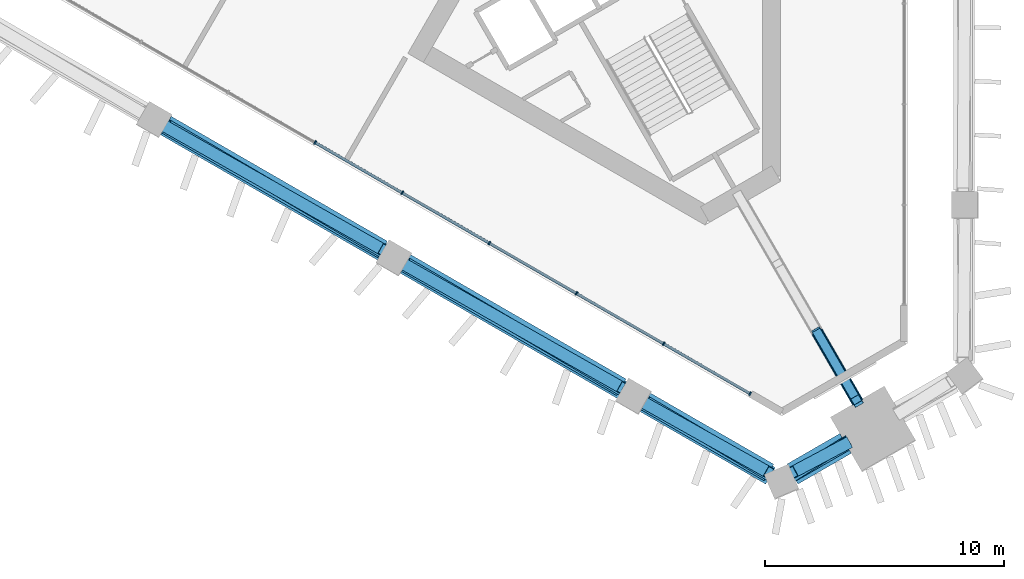
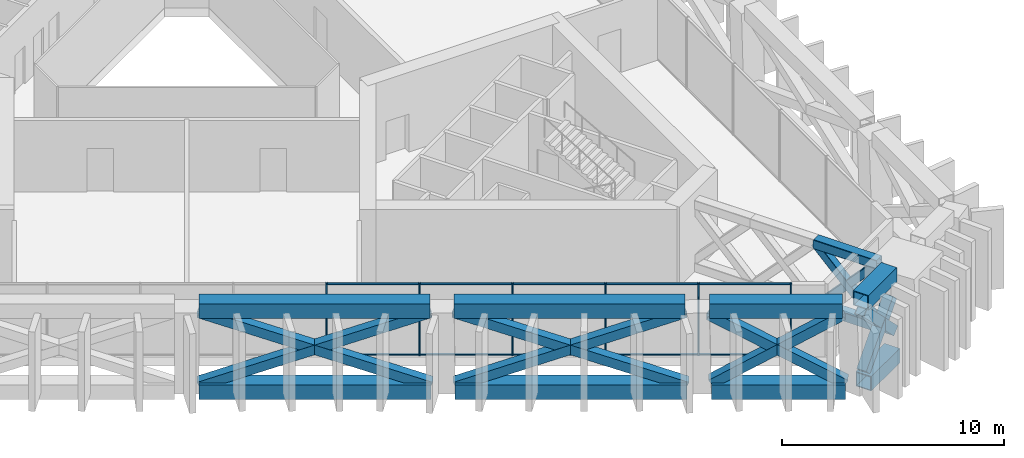
# One storey, part 3 of 17: 36 members, 1 element without a shape of its own.
"""IFC4 building model written with IfcOpenShell, lengths in metres."""

from ifc_helpers import new_model, si_unit, direction, frame, origin, origin_2d, place, context, subcontext, project, spatial, rectangle, hollow_rectangle, extrude, material, layer, layer_set, material_profile, profile_set, type_object, element, aggregate, save


model = new_model("IFC4")

# Units and contexts
model_context = context("Model", 3, precision=1e-05, world=origin(), true_north=direction((0.0, 1.0)))
body_context = subcontext(model_context, "Body", "Model", "MODEL_VIEW")
ifc_project = project(units=[si_unit("LENGTHUNIT", "METRE"), si_unit("AREAUNIT", "SQUARE_METRE"), si_unit("VOLUMEUNIT", "CUBIC_METRE"), si_unit("PLANEANGLEUNIT", "RADIAN"), si_unit("MASSUNIT", "GRAM", prefix="KILO")], contexts=[model_context])

# Site, building, storey
site_placement = place(None, origin())
site = spatial("IfcSite", under=ifc_project, at=site_placement, CompositionType="ELEMENT")
building_placement = place(site_placement, origin())
building = spatial("IfcBuilding", under=site, at=building_placement, Name="Jabali Bay Hotel Tower and Convention Centre", CompositionType="ELEMENT")
storey_placement = place(building_placement, frame((0.0, 0.0, 102.39990234375)))
storey = spatial("IfcBuildingStorey", under=building, at=storey_placement, Name="L24", CompositionType="ELEMENT", Elevation=102.39990234375)

# Members
ifc_material_1 = material(Name="Steel Q420GJC", Category="steel")
ifc_material_profile_1 = material_profile(ifc_material_1, hollow_rectangle(XDim=0.5, YDim=0.5, WallThickness=0.030029296875, at=origin_2d()), Name="Belt brace 500x500x30")
ifc_profile_set_1 = profile_set([ifc_material_profile_1], Name="Steel Q420GJC")
member_type_1 = type_object("IfcMemberType", Name="Belt brace 500x500x30", PredefinedType="BRACE", material=ifc_profile_set_1)
member_1_placement = place(storey_placement, frame((64.184326171875, 60.16650390625, 0.210205078125), z_axis=(0.812615311178, -0.460846771007, 0.35675847529), x_axis=(0.49330809366, 0.869854657244, 0.0)))
element("IfcMember", 1, at=member_1_placement, inside=storey, type_object=member_type_1, Name="Belt brace T2 F2.3-F2.4 x1", PredefinedType="BRACE", context=body_context, shape_type="SweptSolid", body=[
    extrude(hollow_rectangle(XDim=0.5, YDim=0.5, WallThickness=0.030029296875, at=origin_2d()), origin(), (0.0, 0.0, 1.0), 11.1552734375),
])
member_2_placement = place(storey_placement, frame((73.249755859375, 54.9326171875, 0.209228515625), z_axis=(-0.805835633176, 0.473543964919, 0.355506744792), x_axis=(-0.506640934774, -0.86215715691, 0.0)))
element("IfcMember", 2, at=member_2_placement, inside=storey, type_object=member_type_1, Name="Belt brace T2 F2.3-F2.4 x2", PredefinedType="BRACE", context=body_context, shape_type="SweptSolid", body=[
    extrude(hollow_rectangle(XDim=0.5, YDim=0.5, WallThickness=0.030029296875, at=origin_2d()), origin(), (0.0, 0.0, 1.0), 11.199951171875),
])
member_3_placement = place(storey_placement, frame((74.202392578125, 54.382568359375, 0.2109375), z_axis=(0.812203812766, -0.460572560313, 0.358047319798), x_axis=(0.493274994833, 0.869873427271, 0.0)))
element("IfcMember", 3, at=member_3_placement, inside=storey, type_object=member_type_1, Name="Belt brace T2 F2.4-F2.5 x1", PredefinedType="BRACE", context=body_context, shape_type="SweptSolid", body=[
    extrude(hollow_rectangle(XDim=0.5, YDim=0.5, WallThickness=0.030029296875, at=origin_2d()), origin(), (0.0, 0.0, 1.0), 11.111083984375),
])
member_4_placement = place(storey_placement, frame((83.267822265625, 49.148681640625, 0.20849609375), z_axis=(-0.806265923934, 0.473763194384, 0.354236778935), x_axis=(-0.506614205048, -0.862172863899, 0.0)))
element("IfcMember", 4, at=member_4_placement, inside=storey, type_object=member_type_1, Name="Belt brace T2 F2.4-F2.5 x2", PredefinedType="BRACE", context=body_context, shape_type="SweptSolid", body=[
    extrude(hollow_rectangle(XDim=0.5, YDim=0.5, WallThickness=0.030029296875, at=origin_2d()), origin(), (0.0, 0.0, 1.0), 11.244384765625),
])
member_5_placement = place(storey_placement, frame((84.221923828125, 48.60107421875, 0.3447265625), z_axis=(0.739102822637, -0.414362992183, 0.531065276853), x_axis=(0.489021452064, 0.87227175778, 0.0)))
element("IfcMember", 5, at=member_5_placement, inside=storey, type_object=member_type_1, Name="Belt brace T2 F2.5-V5 x1", PredefinedType="BRACE", context=body_context, shape_type="SweptSolid", body=[
    extrude(hollow_rectangle(XDim=0.5, YDim=0.5, WallThickness=0.030029296875, at=origin_2d()), origin(), (0.0, 0.0, 1.0), 6.9873046875),
])
member_6_placement = place(storey_placement, frame((89.459228515625, 45.576904296875, 0.334228515625), z_axis=(-0.734817529099, 0.436386019084, 0.519240253907), x_axis=(-0.51061497829, -0.859809481191, 0.0)))
element("IfcMember", 6, at=member_6_placement, inside=storey, type_object=member_type_1, Name="Belt brace T2 F2.5-V5 x2", PredefinedType="BRACE", context=body_context, shape_type="SweptSolid", body=[
    extrude(hollow_rectangle(XDim=0.5, YDim=0.5, WallThickness=0.030029296875, at=origin_2d()), origin(), (0.0, 0.0, 1.0), 7.186767578125),
])
member_7_placement = place(storey_placement, frame((90.3984375, 45.587646484375, 0.547119140625), z_axis=(0.601155993009, 0.37574772037, 0.70528371788), x_axis=(-0.530024526579, 0.847982311858, 0.0)))
element("IfcMember", 7, at=member_7_placement, inside=storey, type_object=member_type_1, Name="Belt brace T2 V5-M2 x1", PredefinedType="BRACE", context=body_context, shape_type="SweptSolid", body=[
    extrude(hollow_rectangle(XDim=0.5, YDim=0.5, WallThickness=0.030029296875, at=origin_2d()), origin(), (0.0, 0.0, 1.0), 3.62939453125),
])
member_8_placement = place(storey_placement, frame((92.6123046875, 46.896240234375, 1.297119140625), z_axis=(-0.625151543258, -0.33215395171, 0.706299724144), x_axis=(0.46920170998, -0.883091023254, 0.0)))
element("IfcMember", 8, at=member_8_placement, inside=storey, type_object=member_type_1, Name="Belt brace T2 V5-M2 x2", PredefinedType="BRACE", context=body_context, shape_type="SweptSolid", body=[
    extrude(hollow_rectangle(XDim=0.5, YDim=0.5, WallThickness=0.030029296875, at=origin_2d()), origin(), (0.0, 0.0, 1.0), 3.6162109375),
])
ifc_material_profile_2 = material_profile(ifc_material_1, hollow_rectangle(XDim=0.800048828125, YDim=0.800048828125, WallThickness=0.0400390625, at=origin_2d()), Name="Belt chord 800x800x40")
ifc_profile_set_2 = profile_set([ifc_material_profile_2], Name="Steel Q420GJC")
member_type_2 = type_object("IfcMemberType", Name="Belt chord 800x800x40", PredefinedType="CHORD", material=ifc_profile_set_2)
member_9_placement = place(storey_placement, frame((64.18212890625, 60.162841796875, 0.0), z_axis=(0.866027122606, -0.499997022903, 0.0), x_axis=(0.499997022903, 0.866027122606, 0.0)))
element("IfcMember", 9, at=member_9_placement, inside=storey, type_object=member_type_2, Name="Belt chord T2 F2.3-F2.4", PredefinedType="CHORD", context=body_context, shape_type="SweptSolid", body=[
    extrude(hollow_rectangle(XDim=0.800048828125, YDim=0.800048828125, WallThickness=0.0400390625, at=origin_2d()), origin(), (0.0, 0.0, 1.0), 10.4677734375),
])
member_10_placement = place(storey_placement, frame((74.2001953125, 54.37890625, 0.0), z_axis=(0.866032953093, -0.499986923987, 0.0), x_axis=(0.499986923987, 0.866032953093, 0.0)))
element("IfcMember", 10, at=member_10_placement, inside=storey, type_object=member_type_2, Name="Belt chord T2 F2.4-F2.5", PredefinedType="CHORD", context=body_context, shape_type="SweptSolid", body=[
    extrude(hollow_rectangle(XDim=0.800048828125, YDim=0.800048828125, WallThickness=0.0400390625, at=origin_2d()), origin(), (0.0, 0.0, 1.0), 10.468017578125),
])
member_11_placement = place(storey_placement, frame((84.218505859375, 48.594970703125, 0.0), z_axis=(0.866030962246, -0.499990372339, 0.0), x_axis=(0.499990372339, 0.866030962246, 0.0)))
element("IfcMember", 11, at=member_11_placement, inside=storey, type_object=member_type_2, Name="Belt chord T2 F2.5-V5", PredefinedType="CHORD", context=body_context, shape_type="SweptSolid", body=[
    extrude(hollow_rectangle(XDim=0.800048828125, YDim=0.800048828125, WallThickness=0.0400390625, at=origin_2d()), origin(), (0.0, 0.0, 1.0), 6.04736328125),
])
member_12_placement = place(storey_placement, frame((90.408447265625, 45.5712890625, 0.0), z_axis=(0.866013163002, 0.500021201058, 0.0), x_axis=(-0.500021201058, 0.866013163002, 0.0)))
element("IfcMember", 12, at=member_12_placement, inside=storey, type_object=member_type_2, Name="Belt chord T2 V5-M2", PredefinedType="CHORD", context=body_context, shape_type="SweptSolid", body=[
    extrude(hollow_rectangle(XDim=0.800048828125, YDim=0.800048828125, WallThickness=0.0400390625, at=origin_2d()), origin(), (0.0, 0.0, 1.0), 2.5703125),
])
member_13_placement = place(storey_placement, frame((64.2265625, 60.239990234375, 4.400146484375), z_axis=(0.866018607488, -0.500011771347, 0.0), x_axis=(0.500011771347, 0.866018607488, 0.0)))
element("IfcMember", 13, at=member_13_placement, inside=storey, type_object=member_type_2, Name="Belt chord T2 F2.3-F2.4", PredefinedType="CHORD", context=body_context, shape_type="SweptSolid", body=[
    extrude(hollow_rectangle(XDim=0.800048828125, YDim=0.800048828125, WallThickness=0.0400390625, at=origin_2d()), origin(), (0.0, 0.0, 1.0), 10.421142578125),
])
member_14_placement = place(storey_placement, frame((74.2041015625, 54.479248046875, 4.400146484375), z_axis=(0.866028751965, -0.499994200737, 0.0), x_axis=(0.499994200737, 0.866028751965, 0.0)))
element("IfcMember", 14, at=member_14_placement, inside=storey, type_object=member_type_2, Name="Belt chord T2 F2.4-F2.5", PredefinedType="CHORD", context=body_context, shape_type="SweptSolid", body=[
    extrude(hollow_rectangle(XDim=0.800048828125, YDim=0.800048828125, WallThickness=0.0400390625, at=origin_2d()), origin(), (0.0, 0.0, 1.0), 10.4208984375),
])
member_15_placement = place(storey_placement, frame((84.181640625, 48.71875, 4.400146484375), z_axis=(0.866026035623, -0.499998905622, 0.0), x_axis=(0.499998905622, 0.866026035623, 0.0)))
element("IfcMember", 15, at=member_15_placement, inside=storey, type_object=member_type_2, Name="Belt chord T2 F2.5-V5", PredefinedType="CHORD", context=body_context, shape_type="SweptSolid", body=[
    extrude(hollow_rectangle(XDim=0.800048828125, YDim=0.800048828125, WallThickness=0.0400390625, at=origin_2d()), origin(), (0.0, 0.0, 1.0), 6.013671875),
])
member_16_placement = place(storey_placement, frame((90.34228515625, 45.7119140625, 4.400146484375), z_axis=(0.866031368865, 0.499989668035, 0.0), x_axis=(-0.499989668035, 0.866031368865, 0.0)))
element("IfcMember", 16, at=member_16_placement, inside=storey, type_object=member_type_2, Name="Belt chord T2 V5-M2", PredefinedType="CHORD", context=body_context, shape_type="SweptSolid", body=[
    extrude(hollow_rectangle(XDim=0.800048828125, YDim=0.800048828125, WallThickness=0.0400390625, at=origin_2d()), origin(), (0.0, 0.0, 1.0), 2.55712890625),
])

# Curtain wall, members
ifc_material_2 = material(Name="Aluminium and glass", Category="aluminium")
ifc_layer = layer(ifc_material_2, 0.159912109375)
ifc_layer_set = layer_set([ifc_layer], Name="Aluminium and glass")
curtain_wall_type = type_object("IfcCurtainWallType", Name="CW3 curtain wall", PredefinedType="NOTDEFINED", material=ifc_layer_set)
curtain_wall_placement = place(storey_placement, origin())
curtain_wall = element("IfcCurtainWall", 17, at=curtain_wall_placement, inside=storey, type_object=curtain_wall_type, Name="CW3 curtain wall south-west face L24", PredefinedType="NOTDEFINED")
ifc_material_3 = material(Name="Aluminium", Category="aluminium")
ifc_material_profile_3 = material_profile(ifc_material_3, rectangle(XDim=0.159912109375, YDim=0.06005859375, at=origin_2d()), Name="CW3 mullion 60 x 160")
ifc_profile_set_3 = profile_set([ifc_material_profile_3], Name="Aluminium")
member_type_3 = type_object("IfcMemberType", Name="CW3 mullion 60 x 160", PredefinedType="MULLION", material=ifc_profile_set_3)
member_17_placement = place(storey_placement, frame((88.607177734375, 49.005615234375, 0.0), z_axis=(0.0, 0.0, 1.0), x_axis=(-0.499999994256, -0.866025407101, 0.0)))
member_17 = element("IfcMember", 18, at=member_17_placement, type_object=member_type_3, Name="CW3 mullion 1", PredefinedType="MULLION", context=body_context, shape_type="SweptSolid", body=[
    extrude(rectangle(XDim=0.159912109375, YDim=0.06005859375, at=origin_2d()), origin(), (0.0, 0.0, 1.0), 3.9501953125),
])
member_18_placement = place(storey_placement, frame((84.994384765625, 51.091552734375, 0.0), z_axis=(0.0, 0.0, 1.0), x_axis=(-0.499999994256, -0.866025407101, 0.0)))
member_18 = element("IfcMember", 19, at=member_18_placement, type_object=member_type_3, Name="CW3 mullion 2", PredefinedType="MULLION", context=body_context, shape_type="SweptSolid", body=[
    extrude(rectangle(XDim=0.159912109375, YDim=0.06005859375, at=origin_2d()), origin(), (0.0, 0.0, 1.0), 3.9501953125),
])
member_19_placement = place(storey_placement, frame((81.35546875, 53.1923828125, 0.0), z_axis=(0.0, 0.0, 1.0), x_axis=(-0.499999994256, -0.866025407101, 0.0)))
member_19 = element("IfcMember", 20, at=member_19_placement, type_object=member_type_3, Name="CW3 mullion 3", PredefinedType="MULLION", context=body_context, shape_type="SweptSolid", body=[
    extrude(rectangle(XDim=0.159912109375, YDim=0.06005859375, at=origin_2d()), origin(), (0.0, 0.0, 1.0), 3.9501953125),
])
member_20_placement = place(storey_placement, frame((77.716552734375, 55.293212890625, 0.0), z_axis=(0.0, 0.0, 1.0), x_axis=(-0.499999994256, -0.866025407101, 0.0)))
member_20 = element("IfcMember", 21, at=member_20_placement, type_object=member_type_3, Name="CW3 mullion 4", PredefinedType="MULLION", context=body_context, shape_type="SweptSolid", body=[
    extrude(rectangle(XDim=0.159912109375, YDim=0.06005859375, at=origin_2d()), origin(), (0.0, 0.0, 1.0), 3.9501953125),
])
member_21_placement = place(storey_placement, frame((74.077880859375, 57.39404296875, 0.0), z_axis=(0.0, 0.0, 1.0), x_axis=(-0.499999994256, -0.866025407101, 0.0)))
member_21 = element("IfcMember", 22, at=member_21_placement, type_object=member_type_3, Name="CW3 mullion 5", PredefinedType="MULLION", context=body_context, shape_type="SweptSolid", body=[
    extrude(rectangle(XDim=0.159912109375, YDim=0.06005859375, at=origin_2d()), origin(), (0.0, 0.0, 1.0), 3.9501953125),
])
member_22_placement = place(storey_placement, frame((70.43896484375, 59.4951171875, 0.0), z_axis=(0.0, 0.0, 1.0), x_axis=(-0.499999994256, -0.866025407101, 0.0)))
member_22 = element("IfcMember", 23, at=member_22_placement, type_object=member_type_3, Name="CW3 mullion 6", PredefinedType="MULLION", context=body_context, shape_type="SweptSolid", body=[
    extrude(rectangle(XDim=0.159912109375, YDim=0.06005859375, at=origin_2d()), origin(), (0.0, 0.0, 1.0), 3.9501953125),
])
ifc_material_profile_4 = material_profile(ifc_material_3, rectangle(XDim=0.1201171875, YDim=0.06005859375, at=origin_2d()), Name="CW3 transom 60 x 120")
ifc_profile_set_4 = profile_set([ifc_material_profile_4], Name="Aluminium")
member_type_4 = type_object("IfcMemberType", Name="CW3 transom 60 x 120", PredefinedType="USERDEFINED", material=ifc_profile_set_4)
member_23_placement = place(storey_placement, frame((88.5810546875, 49.020751953125, 0.030029296875), z_axis=(-0.866016499285, 0.500015422728, 0.0), x_axis=(-0.500015422728, -0.866016499285, 0.0)))
member_23 = element("IfcMember", 24, at=member_23_placement, type_object=member_type_4, Name="CW3 transom 1.1", ObjectType="TRANSOM", PredefinedType="USERDEFINED", context=body_context, shape_type="SweptSolid", body=[
    extrude(rectangle(XDim=0.1201171875, YDim=0.06005859375, at=origin_2d()), origin(), (0.0, 0.0, 1.0), 4.111572265625),
])
member_24_placement = place(storey_placement, frame((88.5810546875, 49.020751953125, 3.920166015625), z_axis=(-0.866016499285, 0.500015422728, 0.0), x_axis=(-0.500015422728, -0.866016499285, 0.0)))
member_24 = element("IfcMember", 25, at=member_24_placement, type_object=member_type_4, Name="CW3 transom 1.2", ObjectType="TRANSOM", PredefinedType="USERDEFINED", context=body_context, shape_type="SweptSolid", body=[
    extrude(rectangle(XDim=0.1201171875, YDim=0.06005859375, at=origin_2d()), origin(), (0.0, 0.0, 1.0), 4.111572265625),
])
member_25_placement = place(storey_placement, frame((84.96826171875, 51.1064453125, 0.030029296875), z_axis=(-0.866010858883, 0.500025191662, 0.0), x_axis=(-0.500025191662, -0.866010858883, 0.0)))
member_25 = element("IfcMember", 26, at=member_25_placement, type_object=member_type_4, Name="CW3 transom 2.1", ObjectType="TRANSOM", PredefinedType="USERDEFINED", context=body_context, shape_type="SweptSolid", body=[
    extrude(rectangle(XDim=0.1201171875, YDim=0.06005859375, at=origin_2d()), origin(), (0.0, 0.0, 1.0), 4.141845703125),
])
member_26_placement = place(storey_placement, frame((84.96826171875, 51.1064453125, 3.920166015625), z_axis=(-0.866010858883, 0.500025191662, 0.0), x_axis=(-0.500025191662, -0.866010858883, 0.0)))
member_26 = element("IfcMember", 27, at=member_26_placement, type_object=member_type_4, Name="CW3 transom 2.2", ObjectType="TRANSOM", PredefinedType="USERDEFINED", context=body_context, shape_type="SweptSolid", body=[
    extrude(rectangle(XDim=0.1201171875, YDim=0.06005859375, at=origin_2d()), origin(), (0.0, 0.0, 1.0), 4.141845703125),
])
member_27_placement = place(storey_placement, frame((81.32958984375, 53.20751953125, 0.030029296875), z_axis=(-0.86603638303, 0.499980982906, 0.0), x_axis=(-0.499980982906, -0.86603638303, 0.0)))
member_27 = element("IfcMember", 28, at=member_27_placement, type_object=member_type_4, Name="CW3 transom 3.1", ObjectType="TRANSOM", PredefinedType="USERDEFINED", context=body_context, shape_type="SweptSolid", body=[
    extrude(rectangle(XDim=0.1201171875, YDim=0.06005859375, at=origin_2d()), origin(), (0.0, 0.0, 1.0), 4.141845703125),
])
member_28_placement = place(storey_placement, frame((81.32958984375, 53.20751953125, 3.920166015625), z_axis=(-0.86603638303, 0.499980982906, 0.0), x_axis=(-0.499980982906, -0.86603638303, 0.0)))
member_28 = element("IfcMember", 29, at=member_28_placement, type_object=member_type_4, Name="CW3 transom 3.2", ObjectType="TRANSOM", PredefinedType="USERDEFINED", context=body_context, shape_type="SweptSolid", body=[
    extrude(rectangle(XDim=0.1201171875, YDim=0.06005859375, at=origin_2d()), origin(), (0.0, 0.0, 1.0), 4.141845703125),
])
member_29_placement = place(storey_placement, frame((77.690673828125, 55.308349609375, 0.030029296875), z_axis=(-0.86603638303, 0.499980982906, 0.0), x_axis=(-0.499980982906, -0.86603638303, 0.0)))
member_29 = element("IfcMember", 30, at=member_29_placement, type_object=member_type_4, Name="CW3 transom 4.1", ObjectType="TRANSOM", PredefinedType="USERDEFINED", context=body_context, shape_type="SweptSolid", body=[
    extrude(rectangle(XDim=0.1201171875, YDim=0.06005859375, at=origin_2d()), origin(), (0.0, 0.0, 1.0), 4.141845703125),
])
member_30_placement = place(storey_placement, frame((77.690673828125, 55.308349609375, 3.920166015625), z_axis=(-0.86603638303, 0.499980982906, 0.0), x_axis=(-0.499980982906, -0.86603638303, 0.0)))
member_30 = element("IfcMember", 31, at=member_30_placement, type_object=member_type_4, Name="CW3 transom 4.2", ObjectType="TRANSOM", PredefinedType="USERDEFINED", context=body_context, shape_type="SweptSolid", body=[
    extrude(rectangle(XDim=0.1201171875, YDim=0.06005859375, at=origin_2d()), origin(), (0.0, 0.0, 1.0), 4.141845703125),
])
member_31_placement = place(storey_placement, frame((74.0517578125, 57.4091796875, 0.030029296875), z_axis=(-0.866021646493, 0.500006507763, 0.0), x_axis=(-0.500006507763, -0.866021646493, 0.0)))
member_31 = element("IfcMember", 32, at=member_31_placement, type_object=member_type_4, Name="CW3 transom 5.1", ObjectType="TRANSOM", PredefinedType="USERDEFINED", context=body_context, shape_type="SweptSolid", body=[
    extrude(rectangle(XDim=0.1201171875, YDim=0.06005859375, at=origin_2d()), origin(), (0.0, 0.0, 1.0), 4.1416015625),
])
member_32_placement = place(storey_placement, frame((74.0517578125, 57.4091796875, 3.920166015625), z_axis=(-0.866021646493, 0.500006507763, 0.0), x_axis=(-0.500006507763, -0.866021646493, 0.0)))
member_32 = element("IfcMember", 33, at=member_32_placement, type_object=member_type_4, Name="CW3 transom 5.2", ObjectType="TRANSOM", PredefinedType="USERDEFINED", context=body_context, shape_type="SweptSolid", body=[
    extrude(rectangle(XDim=0.1201171875, YDim=0.06005859375, at=origin_2d()), origin(), (0.0, 0.0, 1.0), 4.1416015625),
])
aggregate(curtain_wall, [member_17, member_18, member_19, member_20, member_21, member_22, member_23, member_24, member_25, member_26, member_27, member_28, member_29, member_30, member_31, member_32])

# Members
ifc_material_profile_5 = material_profile(ifc_material_1, hollow_rectangle(XDim=0.39990234375, YDim=0.39990234375, WallThickness=0.011962890625, InnerFilletRadius=0.01806640625, OuterFilletRadius=0.030029296875, at=origin_2d()), Name="Outrigger brace 400x400x12")
ifc_profile_set_5 = profile_set([ifc_material_profile_5], Name="Steel Q420GJC")
member_type_5 = type_object("IfcMemberType", Name="Outrigger brace 400x400x12", PredefinedType="BRACE", material=ifc_profile_set_5)
member_33_placement = place(storey_placement, frame((91.44189453125, 51.521728515625, 0.25), z_axis=(0.340398895488, -0.589516771491, 0.732528885493), x_axis=(0.865999177177, 0.500045423065, 0.0)))
element("IfcMember", 34, at=member_33_placement, inside=storey, type_object=member_type_5, Name="Outrigger brace T2 3.3x1", PredefinedType="BRACE", context=body_context, shape_type="SweptSolid", body=[
    extrude(hollow_rectangle(XDim=0.39990234375, YDim=0.39990234375, WallThickness=0.011962890625, InnerFilletRadius=0.01806640625, OuterFilletRadius=0.030029296875, at=origin_2d()), origin(), (0.0, 0.0, 1.0), 4.7099609375),
])
member_34_placement = place(storey_placement, frame((93.105712890625, 48.639892578125, 0.25), z_axis=(-0.351401607926, 0.608673290795, 0.711360481767), x_axis=(-0.866035310744, -0.49998284025, 0.0)))
element("IfcMember", 35, at=member_34_placement, inside=storey, type_object=member_type_5, Name="Outrigger brace T2 3.3x2", PredefinedType="BRACE", context=body_context, shape_type="SweptSolid", body=[
    extrude(hollow_rectangle(XDim=0.39990234375, YDim=0.39990234375, WallThickness=0.011962890625, InnerFilletRadius=0.01806640625, OuterFilletRadius=0.030029296875, at=origin_2d()), origin(), (0.0, 0.0, 1.0), 4.85009765625),
])
ifc_material_profile_6 = material_profile(ifc_material_1, hollow_rectangle(XDim=0.5, YDim=0.5, WallThickness=0.01611328125, InnerFilletRadius=0.02392578125, OuterFilletRadius=0.0400390625, at=origin_2d()), Name="Outrigger chord 500x500x16")
ifc_profile_set_6 = profile_set([ifc_material_profile_6], Name="Steel Q420GJC")
member_type_6 = type_object("IfcMemberType", Name="Outrigger chord 500x500x16", PredefinedType="CHORD", material=ifc_profile_set_6)
member_35_placement = place(storey_placement, frame((91.44189453125, 51.521728515625, 0.25), z_axis=(0.499997657153, -0.866026756424, 0.0), x_axis=(0.866026756424, 0.499997657153, 0.0)))
element("IfcMember", 36, at=member_35_placement, inside=storey, type_object=member_type_6, Name="Outrigger chord T2 3.lo3", PredefinedType="CHORD", context=body_context, shape_type="SweptSolid", body=[
    extrude(hollow_rectangle(XDim=0.5, YDim=0.5, WallThickness=0.01611328125, InnerFilletRadius=0.02392578125, OuterFilletRadius=0.0400390625, at=origin_2d()), origin(), (0.0, 0.0, 1.0), 3.32763671875),
])
member_36_placement = place(storey_placement, frame((91.4013671875, 51.592041015625, 3.7001953125), z_axis=(0.500028880288, -0.866008729101, 0.0), x_axis=(0.866008729101, 0.500028880288, 0.0)))
element("IfcMember", 37, at=member_36_placement, inside=storey, type_object=member_type_6, Name="Outrigger chord T2 3.hi3", PredefinedType="CHORD", context=body_context, shape_type="SweptSolid", body=[
    extrude(hollow_rectangle(XDim=0.5, YDim=0.5, WallThickness=0.01611328125, InnerFilletRadius=0.02392578125, OuterFilletRadius=0.0400390625, at=origin_2d()), origin(), (0.0, 0.0, 1.0), 3.287353515625),
])

save(model, "model.ifc")
